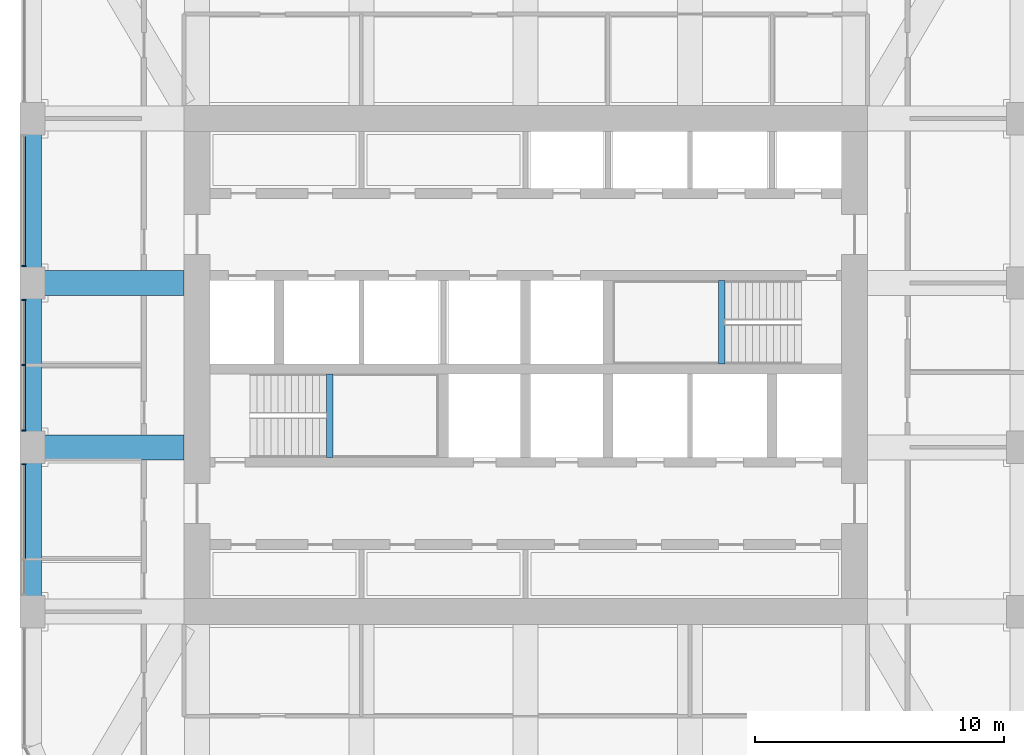
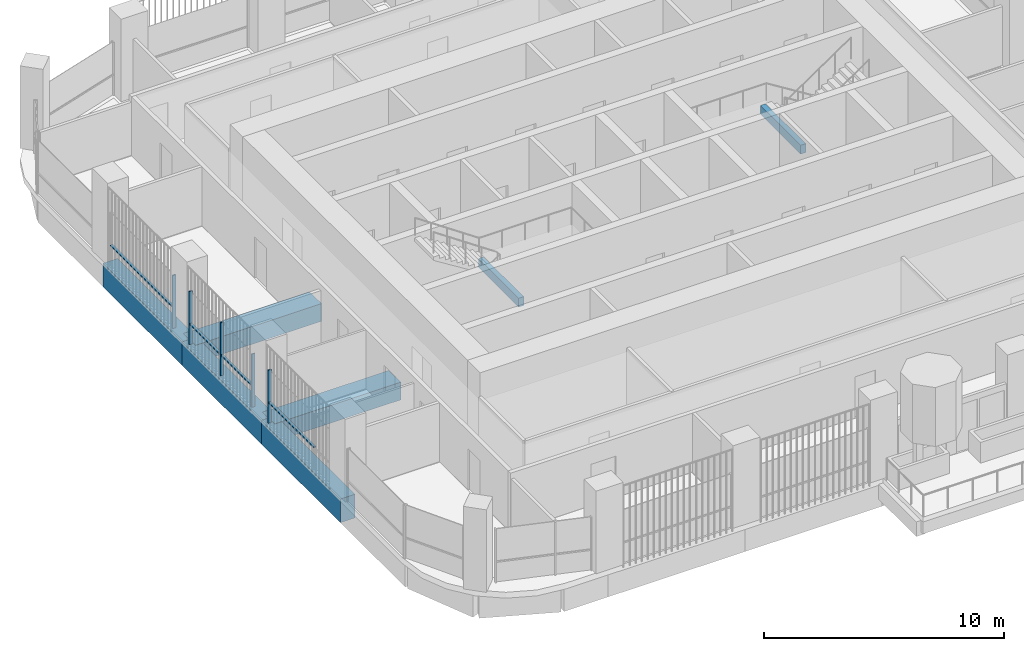
# One storey, part 4 of 21: 9 members, 7 beams, 3 elements without a shape of their own.
"""IFC4 building model written with IfcOpenShell, lengths in metres."""

from ifc_helpers import new_model, si_unit, direction, frame, origin, origin_2d, place, context, subcontext, project, spatial, rectangle, extrude, material, material_profile, profile_set, type_object, element, aggregate, save


model = new_model("IFC4")

# Units and contexts
model_context = context("Model", 3, precision=1e-05, world=origin(), true_north=direction((0.0, 1.0)))
body_context = subcontext(model_context, "Body", "Model", "MODEL_VIEW")
ifc_project = project(units=[si_unit("LENGTHUNIT", "METRE"), si_unit("AREAUNIT", "SQUARE_METRE"), si_unit("VOLUMEUNIT", "CUBIC_METRE"), si_unit("PLANEANGLEUNIT", "RADIAN"), si_unit("MASSUNIT", "GRAM", prefix="KILO")], contexts=[model_context])

# Site, building, storey
site_placement = place(None, origin())
site = spatial("IfcSite", under=ifc_project, at=site_placement, CompositionType="ELEMENT")
building_placement = place(site_placement, origin())
building = spatial("IfcBuilding", under=site, at=building_placement, Name="Cobogo Forest Laboratory Tower", CompositionType="ELEMENT")
storey_placement = place(building_placement, frame((0.0, 0.0, 241.800048828125)))
storey = spatial("IfcBuildingStorey", under=building, at=storey_placement, Name="L55", CompositionType="ELEMENT", Elevation=241.800048828125)

# Beams
ifc_material_1 = material(Name="Concrete HA-40 (C40/50)", Category="concrete")
ifc_material_profile_1 = material_profile(ifc_material_1, rectangle(XDim=0.25, YDim=0.449951171875, at=origin_2d()), Name="RC 250x450")
ifc_profile_set_1 = profile_set([ifc_material_profile_1], Name="Concrete HA-40 (C40/50)")
beam_type_1 = type_object("IfcBeamType", Name="LB1 landing beam 250x450", PredefinedType="BEAM", material=ifc_profile_set_1)
for number, where, z_axis, x_axis, name in (
    (1, (18.530029296875, 19.39990234375, 1.675048828125), (0.0, 1.0, 0.0), (-1.0, 0.0, 0.0), "Landing beam ST1 L55"),
    (2, (34.27001953125, 23.14990234375, 1.675048828125), (0.0, 1.0, 0.0), (-1.0, 0.0, 0.0), "Landing beam ST2 L55"),
):
    element("IfcBeam", number, at=place(storey_placement, frame(where, z_axis=z_axis, x_axis=x_axis)), inside=storey, type_object=beam_type_1, Name=name, PredefinedType="BEAM", context=body_context, shape_type="SweptSolid", body=[
        extrude(rectangle(XDim=0.25, YDim=0.449951171875, at=origin_2d()), origin(), (0.0, 0.0, 1.0), 3.35009765625),
    ])

# Curtain wall, member
ifc_material_2 = material(Name="Aluminium curtain wall", Category="aluminium")
curtain_wall_type = type_object("IfcCurtainWallType", Name="CW-2 unitised curtain wall, solar control glazing, laboratory floors zones C and D", PredefinedType="USERDEFINED", material=ifc_material_2)
curtain_wall_1_placement = place(storey_placement, origin())
curtain_wall_1 = element("IfcCurtainWall", 3, at=curtain_wall_1_placement, inside=storey, type_object=curtain_wall_type, Name="Curtain wall 21 L55", ObjectType="UNITISED CURTAIN WALL", PredefinedType="USERDEFINED")
ifc_material_3 = material(Name="Aluminium mullion", Category="aluminium")
ifc_material_profile_2 = material_profile(ifc_material_3, rectangle(XDim=0.06005859375, YDim=0.159912109375, at=origin_2d()), Name="AL 60x160")
ifc_profile_set_2 = profile_set([ifc_material_profile_2], Name="Aluminium mullion")
member_type_1 = type_object("IfcMemberType", Name="MU-1 aluminium mullion 60x160", PredefinedType="MULLION", material=ifc_profile_set_2)
member_1_placement = place(storey_placement, frame((6.25, 27.080078125, 0.0), z_axis=(0.0, 0.0, 1.0), x_axis=(0.0, -1.0, 0.0)))
member_1 = element("IfcMember", 4, at=member_1_placement, type_object=member_type_1, Name="CW-2 mullion 2", PredefinedType="MULLION", context=body_context, shape_type="SweptSolid", body=[
    extrude(rectangle(XDim=0.06005859375, YDim=0.159912109375, at=origin_2d()), origin(), (0.0, 0.0, 1.0), 2.699951171875),
])

# Curtain wall, members
curtain_wall_2_placement = place(storey_placement, origin())
curtain_wall_2 = element("IfcCurtainWall", 5, at=curtain_wall_2_placement, inside=storey, type_object=curtain_wall_type, Name="Curtain wall 22 L55", ObjectType="UNITISED CURTAIN WALL", PredefinedType="USERDEFINED")
member_2_placement = place(storey_placement, frame((6.25, 25.719970703125, 0.0), z_axis=(0.0, 0.0, 1.0), x_axis=(0.0, -1.0, 0.0)))
member_2 = element("IfcMember", 6, at=member_2_placement, type_object=member_type_1, Name="CW-2 mullion 1", PredefinedType="MULLION", context=body_context, shape_type="SweptSolid", body=[
    extrude(rectangle(XDim=0.06005859375, YDim=0.159912109375, at=origin_2d()), origin(), (0.0, 0.0, 1.0), 2.699951171875),
])
member_3_placement = place(storey_placement, frame((6.25, 23.10009765625, 0.0), z_axis=(0.0, 0.0, 1.0), x_axis=(0.0, -1.0, 0.0)))
member_3 = element("IfcMember", 7, at=member_3_placement, type_object=member_type_1, Name="CW-2 mullion 2", PredefinedType="MULLION", context=body_context, shape_type="SweptSolid", body=[
    extrude(rectangle(XDim=0.06005859375, YDim=0.159912109375, at=origin_2d()), origin(), (0.0, 0.0, 1.0), 2.699951171875),
])
member_4_placement = place(storey_placement, frame((6.25, 20.47998046875, 0.0), z_axis=(0.0, 0.0, 1.0), x_axis=(0.0, -1.0, 0.0)))
member_4 = element("IfcMember", 8, at=member_4_placement, type_object=member_type_1, Name="CW-2 mullion 3", PredefinedType="MULLION", context=body_context, shape_type="SweptSolid", body=[
    extrude(rectangle(XDim=0.06005859375, YDim=0.159912109375, at=origin_2d()), origin(), (0.0, 0.0, 1.0), 2.699951171875),
])

# Curtain wall, member
curtain_wall_3_placement = place(storey_placement, origin())
curtain_wall_3 = element("IfcCurtainWall", 9, at=curtain_wall_3_placement, inside=storey, type_object=curtain_wall_type, Name="Curtain wall 23 L55", ObjectType="UNITISED CURTAIN WALL", PredefinedType="USERDEFINED")
member_5_placement = place(storey_placement, frame((6.25, 19.1201171875, 0.0), z_axis=(0.0, 0.0, 1.0), x_axis=(0.0, -1.0, 0.0)))
member_5 = element("IfcMember", 10, at=member_5_placement, type_object=member_type_1, Name="CW-2 mullion 1", PredefinedType="MULLION", context=body_context, shape_type="SweptSolid", body=[
    extrude(rectangle(XDim=0.06005859375, YDim=0.159912109375, at=origin_2d()), origin(), (0.0, 0.0, 1.0), 2.699951171875),
])

# Beams
ifc_material_profile_3 = material_profile(ifc_material_1, rectangle(XDim=1.0, YDim=0.89990234375, at=origin_2d()), Name="RC 1000x900")
ifc_profile_set_3 = profile_set([ifc_material_profile_3], Name="Concrete HA-40 (C40/50)")
beam_type_2 = type_object("IfcBeamType", Name="Office floor wide beam 1000x900", PredefinedType="BEAM", material=ifc_profile_set_3)
for number, where, z_axis, x_axis, name in (
    (11, (12.675048828125, 19.800048828125, -0.75), (-1.0, 0.0, 0.0), (0.0, -1.0, 0.0), "RB2 R-D-W L55"),
    (12, (12.675048828125, 26.39990234375, -0.75), (-1.0, 0.0, 0.0), (0.0, -1.0, 0.0), "RB2 R-E-W L55"),
):
    element("IfcBeam", number, at=place(storey_placement, frame(where, z_axis=z_axis, x_axis=x_axis)), inside=storey, type_object=beam_type_2, Name=name, PredefinedType="BEAM", context=body_context, shape_type="SweptSolid", body=[
        extrude(rectangle(XDim=1.0, YDim=0.89990234375, at=origin_2d()), origin(), (0.0, 0.0, 1.0), 6.074951171875),
    ])
ifc_material_profile_4 = material_profile(ifc_material_1, rectangle(XDim=0.699951171875, YDim=1.199951171875, at=origin_2d()), Name="RC 700x1200")
ifc_profile_set_4 = profile_set([ifc_material_profile_4], Name="Concrete HA-40 (C40/50)")
beam_type_3 = type_object("IfcBeamType", Name="Perimeter edge beam 700x1200", PredefinedType="BEAM", material=ifc_profile_set_4)
beam_1_placement = place(storey_placement, frame((6.60009765625, 13.199951171875, -0.900146484375), z_axis=(0.0, 1.0, 0.0), x_axis=(-1.0, 0.0, 0.0)))
element("IfcBeam", 13, at=beam_1_placement, inside=storey, type_object=beam_type_3, Name="EB1 E-W1 L55", PredefinedType="BEAM", context=body_context, shape_type="SweptSolid", body=[
    extrude(rectangle(XDim=0.699951171875, YDim=1.199951171875, at=origin_2d()), origin(), (0.0, 0.0, 1.0), 6.60009765625),
])
beam_2_placement = place(storey_placement, frame((6.60009765625, 19.800048828125, -0.900146484375), z_axis=(0.0, 1.0, 0.0), x_axis=(-1.0, 0.0, 0.0)))
element("IfcBeam", 14, at=beam_2_placement, inside=storey, type_object=beam_type_3, Name="EB1 E-W2 L55", PredefinedType="BEAM", context=body_context, shape_type="SweptSolid", body=[
    extrude(rectangle(XDim=0.699951171875, YDim=1.199951171875, at=origin_2d()), origin(), (0.0, 0.0, 1.0), 6.599853515625),
])
beam_3_placement = place(storey_placement, frame((6.60009765625, 26.39990234375, -0.900146484375), z_axis=(0.0, 1.0, 0.0), x_axis=(-1.0, 0.0, 0.0)))
element("IfcBeam", 15, at=beam_3_placement, inside=storey, type_object=beam_type_3, Name="EB1 E-W3 L55", PredefinedType="BEAM", context=body_context, shape_type="SweptSolid", body=[
    extrude(rectangle(XDim=0.699951171875, YDim=1.199951171875, at=origin_2d()), origin(), (0.0, 0.0, 1.0), 6.60009765625),
])

# Member
ifc_material_4 = material(Name="Aluminium transom", Category="aluminium")
ifc_material_profile_5 = material_profile(ifc_material_4, rectangle(XDim=0.1201171875, YDim=0.06005859375, at=origin_2d()), Name="AL 60x120")
ifc_profile_set_5 = profile_set([ifc_material_profile_5], Name="Aluminium transom")
member_type_2 = type_object("IfcMemberType", Name="TR-1 aluminium transom 60x120", PredefinedType="USERDEFINED", material=ifc_profile_set_5)
member_6_placement = place(storey_placement, frame((6.25, 32.2900390625, 1.050048828125), z_axis=(0.0, -1.0, 0.0), x_axis=(1.0, 0.0, 0.0)))
member_6 = element("IfcMember", 16, at=member_6_placement, type_object=member_type_2, Name="CW-2 transom 1.1", ObjectType="TRANSOM", PredefinedType="USERDEFINED", context=body_context, shape_type="SweptSolid", body=[
    extrude(rectangle(XDim=0.1201171875, YDim=0.06005859375, at=origin_2d()), origin(), (0.0, 0.0, 1.0), 5.179931640625),
])

aggregate(curtain_wall_1, [member_1, member_6])

member_7_placement = place(storey_placement, frame((6.25, 25.68994140625, 1.050048828125), z_axis=(0.0, -1.0, 0.0), x_axis=(1.0, 0.0, 0.0)))
member_7 = element("IfcMember", 17, at=member_7_placement, type_object=member_type_2, Name="CW-2 transom 1.1", ObjectType="TRANSOM", PredefinedType="USERDEFINED", context=body_context, shape_type="SweptSolid", body=[
    extrude(rectangle(XDim=0.1201171875, YDim=0.06005859375, at=origin_2d()), origin(), (0.0, 0.0, 1.0), 2.56005859375),
])

member_8_placement = place(storey_placement, frame((6.25, 23.070068359375, 1.050048828125), z_axis=(0.0, -1.0, 0.0), x_axis=(1.0, 0.0, 0.0)))
member_8 = element("IfcMember", 18, at=member_8_placement, type_object=member_type_2, Name="CW-2 transom 2.1", ObjectType="TRANSOM", PredefinedType="USERDEFINED", context=body_context, shape_type="SweptSolid", body=[
    extrude(rectangle(XDim=0.1201171875, YDim=0.06005859375, at=origin_2d()), origin(), (0.0, 0.0, 1.0), 2.56005859375),
])

aggregate(curtain_wall_2, [member_2, member_3, member_4, member_7, member_8])

member_9_placement = place(storey_placement, frame((6.25, 19.090087890625, 1.050048828125), z_axis=(0.0, -1.0, 0.0), x_axis=(1.0, 0.0, 0.0)))
member_9 = element("IfcMember", 19, at=member_9_placement, type_object=member_type_2, Name="CW-2 transom 1.1", ObjectType="TRANSOM", PredefinedType="USERDEFINED", context=body_context, shape_type="SweptSolid", body=[
    extrude(rectangle(XDim=0.1201171875, YDim=0.06005859375, at=origin_2d()), origin(), (0.0, 0.0, 1.0), 3.760009765625),
])

aggregate(curtain_wall_3, [member_5, member_9])

save(model, "model.ifc")
